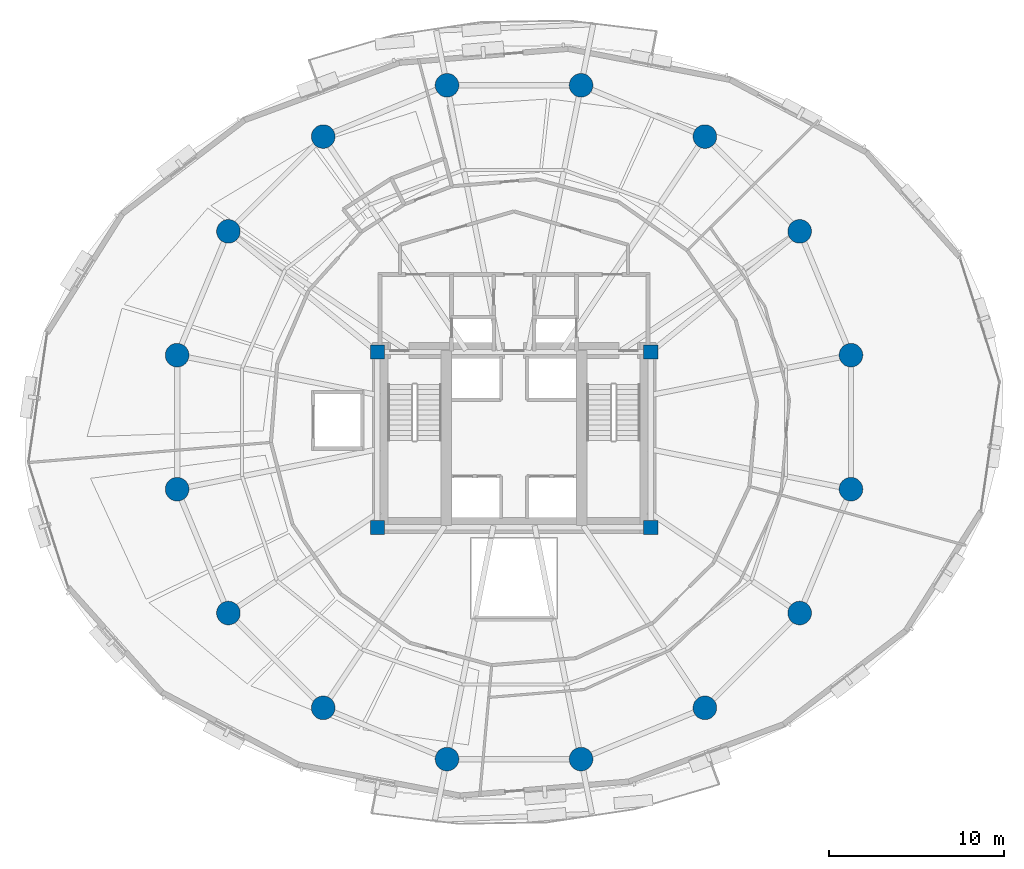
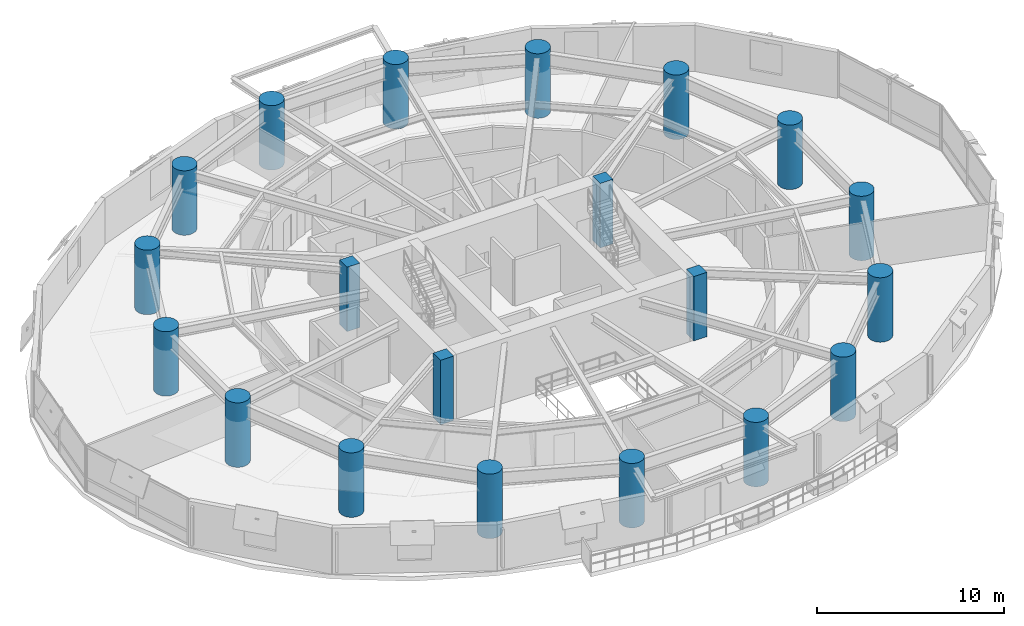
# One storey, part 1 of 16: 20 columns.
"""IFC4 building model written with IfcOpenShell, lengths in metres."""

import ifcopenshell
import ifcopenshell.guid

model = None  # the IFC model being written
_history = None  # IfcOwnerHistory: only IFC2X3 demands one
_inside = {}  # id of a spatial element -> (the spatial element, [elements in it])
_under = {}  # id of a project, library or spatial element -> (it, [spatial elements below it])
_declared = {}  # id of a project -> (the project, [libraries it declares])
_typed = {}  # id of a type object -> (the type object, [elements of that type])
_made_of = {}  # id of a material, layer set ... -> (it, [elements and type objects made of it])


def new_model(schema):
    """Start an empty IFC model of exactly this schema.

    Asked for "IFC4X3", IfcOpenShell would pick the latest addendum, in which some entities
    have other attributes; the version numbers below select the first issue.
    IFC2X3 requires an IfcOwnerHistory on every rooted entity: one is made here for all.
    """
    global model, _history
    if schema == "IFC4X3":
        model = ifcopenshell.file(schema_version=(4, 3, 0, 0))
    else:
        model = ifcopenshell.file(schema=schema)
    _inside.clear()
    _under.clear()
    _declared.clear()
    _typed.clear()
    _made_of.clear()
    _history = None
    if model.schema == "IFC2X3":
        org = make("IfcOrganization", Name="unknown")
        user = make(
            "IfcPersonAndOrganization",
            ThePerson=make("IfcPerson", FamilyName="unknown"),
            TheOrganization=org,
        )
        app = make(
            "IfcApplication",
            ApplicationDeveloper=org,
            Version="unknown",
            ApplicationFullName="unknown",
            ApplicationIdentifier="unknown",
        )
        _history = make(
            "IfcOwnerHistory",
            OwningUser=user,
            OwningApplication=app,
            ChangeAction="ADDED",
            CreationDate=0,
        )
    return model


def make(cls, **values):
    """One entity of the class cls with the attributes given. An attribute that is None is left unset."""
    return model.create_entity(
        cls, **{name: value for name, value in values.items() if value is not None}
    )


def rooted(cls, **values):
    """An entity with a GlobalId (a new one), such as an element, a storey or a relation."""
    return make(cls, GlobalId=ifcopenshell.guid.new(), OwnerHistory=_history, **values)


def si_unit(unit_type, name, prefix=None):
    """IfcSIUnit, for example si_unit("LENGTHUNIT", "METRE", prefix="MILLI")."""
    return make("IfcSIUnit", UnitType=unit_type, Prefix=prefix, Name=name)


def assignment(units):
    """IfcUnitAssignment: the units of a project."""
    return None if units is None else make("IfcUnitAssignment", Units=units)


def point(xyz):
    """IfcCartesianPoint."""
    return None if xyz is None else make("IfcCartesianPoint", Coordinates=xyz)


def direction(xyz):
    """IfcDirection."""
    return None if xyz is None else make("IfcDirection", DirectionRatios=xyz)


def frame(location, z_axis=None, x_axis=None):
    """IfcAxis2Placement3D, a coordinate frame: its origin and axes. An axis left out is left unset."""
    return make(
        "IfcAxis2Placement3D",
        Location=point(location),
        Axis=direction(z_axis),
        RefDirection=direction(x_axis),
    )


def frame_2d(location, x_axis=None):
    """IfcAxis2Placement2D, a coordinate frame in the plane: its origin and x axis."""
    return make(
        "IfcAxis2Placement2D", Location=point(location), RefDirection=direction(x_axis)
    )


def origin():
    """The frame at (0, 0, 0) with its axes left unset."""
    return frame((0.0, 0.0, 0.0))


def origin_2d():
    """The frame at (0, 0) in the plane with its x axis left unset."""
    return frame_2d((0.0, 0.0))


def place(relative_to, where):
    """IfcLocalPlacement: puts the frame where relative to a parent placement (None: the world)."""
    return make(
        "IfcLocalPlacement", PlacementRelTo=relative_to, RelativePlacement=where
    )


def context(
    kind, dimensions, precision=None, world=None, true_north=None, identifier=None
):
    """IfcGeometricRepresentationContext, for example the 3D "Model" context."""
    return make(
        "IfcGeometricRepresentationContext",
        ContextIdentifier=identifier,
        ContextType=kind,
        CoordinateSpaceDimension=dimensions,
        Precision=precision,
        WorldCoordinateSystem=world,
        TrueNorth=true_north,
    )


def subcontext(parent, identifier, kind, view, scale=None):
    """IfcGeometricRepresentationSubContext, for example "Body" below "Model"."""
    return make(
        "IfcGeometricRepresentationSubContext",
        ContextIdentifier=identifier,
        ContextType=kind,
        ParentContext=parent,
        TargetScale=scale,
        TargetView=view,
    )


def project(units=None, contexts=None):
    """IfcProject with its units and contexts."""
    return rooted(
        "IfcProject",
        Name="project",
        RepresentationContexts=contexts,
        UnitsInContext=assignment(units),
    )


def spatial(cls, under=None, at=None, **own):
    """A site, building, storey or space (cls), placed at a placement, below another one or the project."""
    s = rooted(cls, ObjectPlacement=at, **own)
    if under is not None:
        _under.setdefault(under.id(), (under, []))[1].append(s)
    return s


def profile(cls, at=None, kind="AREA", **sizes):
    """A parametric profile (cls). Its sizes go by their IFC names, for example OverallWidth=200.0."""
    return make(cls, ProfileType=kind, Position=at, **sizes)


def rectangle(**sizes):
    """IfcRectangleProfileDef."""
    return profile("IfcRectangleProfileDef", **sizes)


def circle(**sizes):
    """IfcCircleProfileDef."""
    return profile("IfcCircleProfileDef", **sizes)


def extrude(swept, where, along, depth):
    """IfcExtrudedAreaSolid: the profile swept, set in the frame where, extruded along a direction by depth."""
    return make(
        "IfcExtrudedAreaSolid",
        SweptArea=swept,
        Position=where,
        ExtrudedDirection=direction(along),
        Depth=depth,
    )


def shape(context_of_items, identifier, shape_type, items):
    """IfcShapeRepresentation: the items that make up one representation, for example the "Body"."""
    return make(
        "IfcShapeRepresentation",
        ContextOfItems=context_of_items,
        RepresentationIdentifier=identifier,
        RepresentationType=shape_type,
        Items=items,
    )


def material(Name=None, Category=None):
    """IfcMaterial."""
    return make("IfcMaterial", Name=Name, Category=Category)


def material_profile(
    of_material, cross_section, Name=None, Category=None, Priority=None
):
    """IfcMaterialProfile: a cross section and its material."""
    return make(
        "IfcMaterialProfile",
        Name=Name,
        Material=of_material,
        Profile=cross_section,
        Priority=Priority,
        Category=Category,
    )


def profile_set(profiles, Name=None, composite=None):
    """IfcMaterialProfileSet."""
    return make(
        "IfcMaterialProfileSet",
        Name=Name,
        MaterialProfiles=profiles,
        CompositeProfile=composite,
    )


def made_of(thing, what):
    """Note that an element or type object is made of a material, layer set ...; save() writes the relation."""
    if what is not None:
        _made_of.setdefault(what.id(), (what, []))[1].append(thing)
    return thing


def type_object(cls, material=None, **own):
    """A type object (cls), such as IfcWallType, which elements share."""
    return made_of(rooted(cls, **own), material)


def element(
    cls,
    number,
    at=None,
    inside=None,
    cuts=None,
    type_object=None,
    material=None,
    context=None,
    identifier="Body",
    shape_type=None,
    held_by="IfcProductDefinitionShape",
    body=None,
    shapes=None,
    **own,
):
    """One element of the class cls, such as IfcWall. Its Tag is "e" and its number.

    at: its placement. inside: the storey or other place that contains it. cuts: it is an
    opening in that element (IfcRelVoidsElement). A single representation is given by context,
    identifier, shape_type and body (its items); several are given by shapes. held_by: the class
    of the entity that holds the representations. save() writes the other relations.
    """
    e = rooted(cls, Tag="e%d" % number, ObjectPlacement=at, **own)
    if body is not None:
        shapes = [shape(context, identifier, shape_type, body)]
    if shapes is not None:
        e.Representation = make(held_by, Representations=shapes)
    if inside is not None:
        _inside.setdefault(inside.id(), (inside, []))[1].append(e)
    if cuts is not None:
        rooted(
            "IfcRelVoidsElement", RelatingBuildingElement=cuts, RelatedOpeningElement=e
        )
    if type_object is not None:
        _typed.setdefault(type_object.id(), (type_object, []))[1].append(e)
    return made_of(e, material)


def aggregate(whole, parts):
    """IfcRelAggregates: a whole, such as a stair, and the parts it consists of."""
    return rooted("IfcRelAggregates", RelatingObject=whole, RelatedObjects=parts)


def save(model, path):
    """Write the relations noted so far, then the file.

    IfcRelAggregates (storeys below a building ...), IfcRelContainedInSpatialStructure (elements
    in a storey), IfcRelDefinesByType, IfcRelAssociatesMaterial and IfcRelDeclares: one each for
    every whole, place, type object, material and project.
    """
    for whole, parts in _under.values():
        aggregate(whole, parts)
    for where, things in _inside.values():
        rooted(
            "IfcRelContainedInSpatialStructure",
            RelatedElements=things,
            RelatingStructure=where,
        )
    for kind, things in _typed.values():
        rooted("IfcRelDefinesByType", RelatedObjects=things, RelatingType=kind)
    for what, things in _made_of.values():
        rooted("IfcRelAssociatesMaterial", RelatedObjects=things, RelatingMaterial=what)
    for by, libraries in _declared.values():
        rooted("IfcRelDeclares", RelatingContext=by, RelatedDefinitions=libraries)
    model.write(path)


model = new_model("IFC4")

# Units and contexts
model_context = context("Model", 3, precision=1e-05, world=origin(), true_north=direction((0.0, 1.0)))
body_context = subcontext(model_context, "Body", "Model", "MODEL_VIEW")
ifc_project = project(units=[si_unit("LENGTHUNIT", "METRE"), si_unit("AREAUNIT", "SQUARE_METRE"), si_unit("VOLUMEUNIT", "CUBIC_METRE"), si_unit("PLANEANGLEUNIT", "RADIAN"), si_unit("MASSUNIT", "GRAM", prefix="KILO"), si_unit("THERMODYNAMICTEMPERATUREUNIT", "KELVIN"), si_unit("POWERUNIT", "WATT")], contexts=[model_context])

# Site, building, storey
site_placement = place(None, origin())
site = spatial("IfcSite", under=ifc_project, at=site_placement, CompositionType="ELEMENT")
building_placement = place(site_placement, origin())
building = spatial("IfcBuilding", under=site, at=building_placement, Name="Ocrelia Relay Tower", CompositionType="ELEMENT")
storey_placement = place(building_placement, frame((0.0, 0.0, 51.0)))
storey = spatial("IfcBuildingStorey", under=building, at=storey_placement, Name="L11", CompositionType="ELEMENT", Elevation=51.0)

# Columns
ifc_material_1 = material(Name="Concrete C70/85", Category="concrete")
ifc_material_profile_1 = material_profile(ifc_material_1, circle(Radius=0.675048828125, at=origin_2d()), Name="RC-CIR-1350")
ifc_profile_set_1 = profile_set([ifc_material_profile_1], Name="Concrete C70/85")
column_type_1 = type_object("IfcColumnType", Name="COL-CT-1350", PredefinedType="COLUMN", material=ifc_profile_set_1)
for number, where, z_axis, x_axis, name in (
    (1, (53.223388671875, 29.82373046875, 0.0), (0.0, 0.0, 1.0), (1.0, 0.0, 0.0), "L11 Perimeter Ring Column C01"),
    (2, (50.296875, 36.88916015625, 0.0), (0.0, 0.0, 1.0), (1.0, 0.0, 0.0), "L11 Perimeter Ring Column C02"),
    (3, (44.88916015625, 42.296875, 0.0), (0.0, 0.0, 1.0), (1.0, 0.0, 0.0), "L11 Perimeter Ring Column C03"),
    (4, (37.82373046875, 45.223388671875, 0.0), (0.0, 0.0, 1.0), (1.0, 0.0, 0.0), "L11 Perimeter Ring Column C04"),
    (5, (30.17626953125, 45.223388671875, 0.0), (0.0, 0.0, 1.0), (1.0, 0.0, 0.0), "L11 Perimeter Ring Column C05"),
    (6, (23.11083984375, 42.296875, 0.0), (0.0, 0.0, 1.0), (1.0, 0.0, 0.0), "L11 Perimeter Ring Column C06"),
    (7, (17.703125, 36.88916015625, 0.0), (0.0, 0.0, 1.0), (1.0, 0.0, 0.0), "L11 Perimeter Ring Column C07"),
    (8, (14.776611328125, 29.82373046875, 0.0), (0.0, 0.0, 1.0), (1.0, 0.0, 0.0), "L11 Perimeter Ring Column C08"),
    (9, (14.776611328125, 22.17626953125, 0.0), (0.0, 0.0, 1.0), (1.0, 0.0, 0.0), "L11 Perimeter Ring Column C09"),
    (10, (17.703125, 15.11083984375, 0.0), (0.0, 0.0, 1.0), (1.0, 0.0, 0.0), "L11 Perimeter Ring Column C10"),
    (11, (23.11083984375, 9.703125, 0.0), (0.0, 0.0, 1.0), (1.0, 0.0, 0.0), "L11 Perimeter Ring Column C11"),
    (12, (30.17626953125, 6.776611328125, 0.0), (0.0, 0.0, 1.0), (1.0, 0.0, 0.0), "L11 Perimeter Ring Column C12"),
    (13, (37.82373046875, 6.776611328125, 0.0), (0.0, 0.0, 1.0), (1.0, 0.0, 0.0), "L11 Perimeter Ring Column C13"),
    (14, (44.88916015625, 9.703125, 0.0), (0.0, 0.0, 1.0), (1.0, 0.0, 0.0), "L11 Perimeter Ring Column C14"),
    (15, (50.296875, 15.11083984375, 0.0), (0.0, 0.0, 1.0), (1.0, 0.0, 0.0), "L11 Perimeter Ring Column C15"),
    (16, (53.223388671875, 22.17626953125, 0.0), (0.0, 0.0, 1.0), (1.0, 0.0, 0.0), "L11 Perimeter Ring Column C16"),
):
    element("IfcColumn", number, at=place(storey_placement, frame(where, z_axis=z_axis, x_axis=x_axis)), inside=storey, type_object=column_type_1, Name=name, PredefinedType="COLUMN", context=body_context, shape_type="SweptSolid", body=[
        extrude(circle(Radius=0.675048828125, at=origin_2d()), origin(), (0.0, 0.0, 1.0), 4.199951171875),
    ])
ifc_material_2 = material(Name="Concrete C60/75", Category="concrete")
ifc_material_profile_2 = material_profile(ifc_material_2, rectangle(XDim=0.800048828125, YDim=0.800048828125, at=origin_2d()), Name="RC-COL-800x800")
ifc_profile_set_2 = profile_set([ifc_material_profile_2], Name="Concrete C60/75")
column_type_2 = type_object("IfcColumnType", Name="COL-PILASTER-800", PredefinedType="PILASTER", material=ifc_profile_set_2)
for number, where, z_axis, x_axis, name in (
    (17, (26.199951171875, 20.0, 0.0), (0.0, 0.0, 1.0), (1.0, 0.0, 0.0), "L11 Core Corner Pilaster SW"),
    (18, (41.800048828125, 20.0, 0.0), (0.0, 0.0, 1.0), (1.0, 0.0, 0.0), "L11 Core Corner Pilaster SE"),
    (19, (26.199951171875, 30.0, 0.0), (0.0, 0.0, 1.0), (1.0, 0.0, 0.0), "L11 Core Corner Pilaster NW"),
    (20, (41.800048828125, 30.0, 0.0), (0.0, 0.0, 1.0), (1.0, 0.0, 0.0), "L11 Core Corner Pilaster NE"),
):
    element("IfcColumn", number, at=place(storey_placement, frame(where, z_axis=z_axis, x_axis=x_axis)), inside=storey, type_object=column_type_2, Name=name, PredefinedType="PILASTER", context=body_context, shape_type="SweptSolid", body=[
        extrude(rectangle(XDim=0.800048828125, YDim=0.800048828125, at=origin_2d()), origin(), (0.0, 0.0, 1.0), 4.199951171875),
    ])

save(model, "model.ifc")
